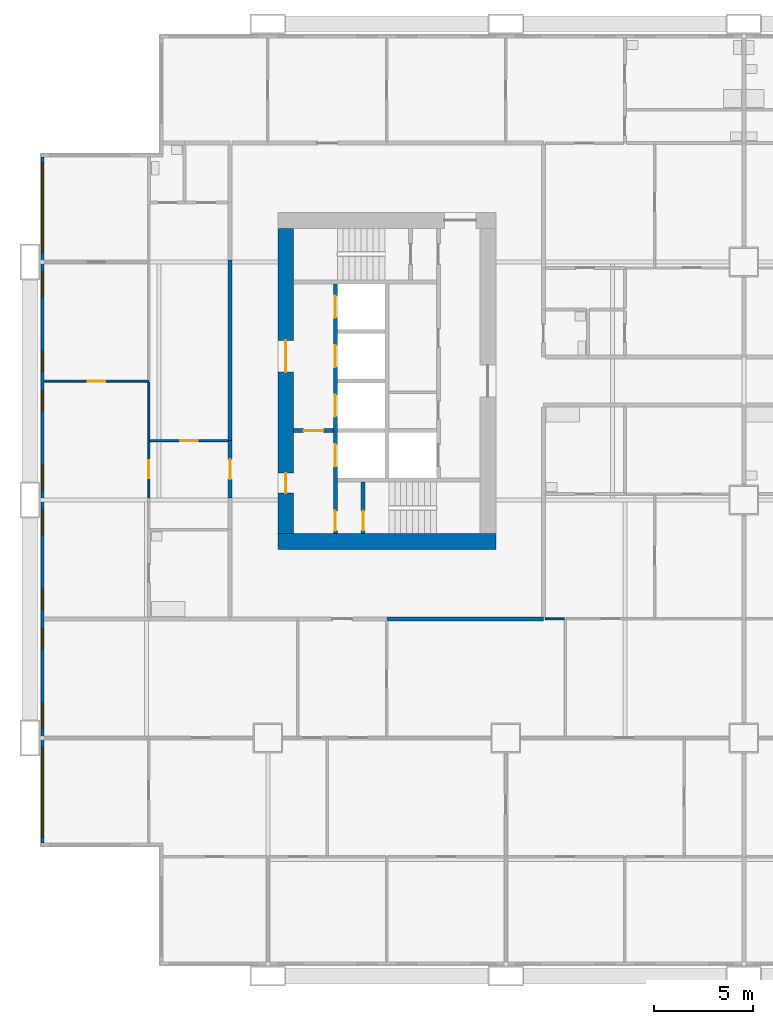
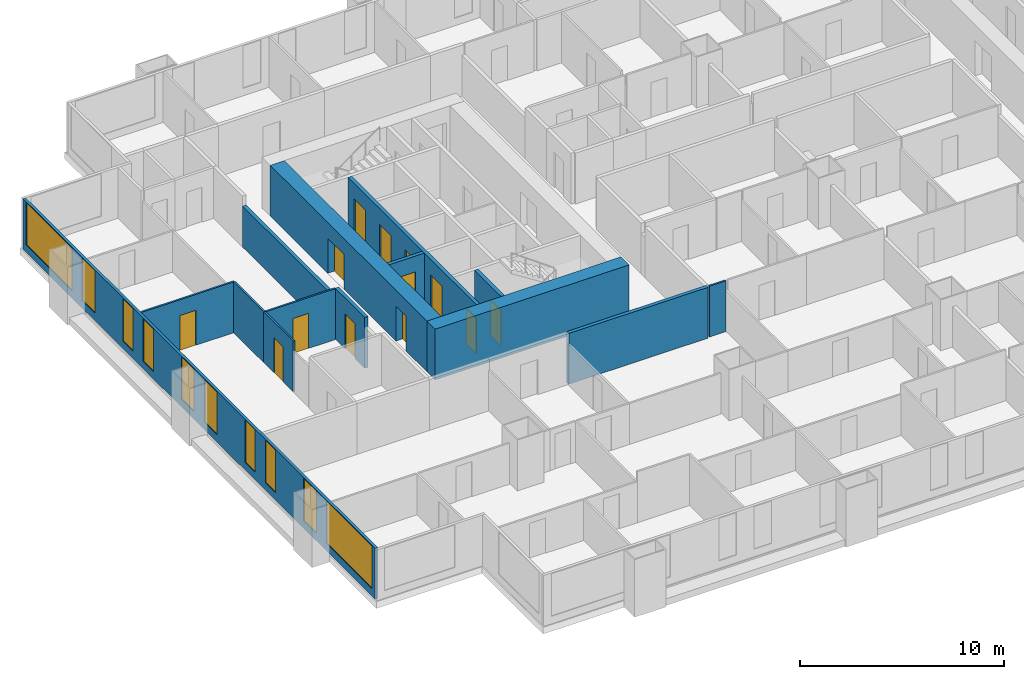
# One storey, part 3 of 14: 14 walls, 13 doors, 10 windows, 23 openings.
"""IFC4 building model written with IfcOpenShell, lengths in metres."""

from ifc_helpers import new_model, si_unit, direction, frame, frame_2d, origin, place, context, subcontext, project, spatial, rectangle, extrude, material, layer, layer_set, type_object, element, fill, save


model = new_model("IFC4")

# Units and contexts
model_context = context("Model", 3, precision=1e-05, world=origin(), true_north=direction((0.0, 1.0)))
body_context = subcontext(model_context, "Body", "Model", "MODEL_VIEW")
ifc_project = project(units=[si_unit("LENGTHUNIT", "METRE"), si_unit("AREAUNIT", "SQUARE_METRE"), si_unit("VOLUMEUNIT", "CUBIC_METRE"), si_unit("PLANEANGLEUNIT", "RADIAN"), si_unit("MASSUNIT", "GRAM", prefix="KILO")], contexts=[model_context])

# Site, building, storey
site_placement = place(None, origin())
site = spatial("IfcSite", under=ifc_project, at=site_placement, CompositionType="ELEMENT")
building_placement = place(site_placement, origin())
building = spatial("IfcBuilding", under=site, at=building_placement, Name="Kitamizu Gate Tower and Museum", CompositionType="ELEMENT")
storey_placement = place(building_placement, frame((0.0, 0.0, 33.449951171875)))
storey = spatial("IfcBuildingStorey", under=building, at=storey_placement, Name="L06", CompositionType="ELEMENT", Elevation=33.449951171875)

# Wall
ifc_material_1 = material(Name="Concrete Fc60", Category="concrete")
ifc_layer_1 = layer(ifc_material_1, 0.800048828125)
ifc_layer_set_1 = layer_set([ifc_layer_1], Name="Concrete Fc60")
wall_type_1 = type_object("IfcWallType", Name="Core wall 800", PredefinedType="SHEAR", material=ifc_layer_set_1)
wall_1_placement = place(storey_placement, frame((12.5, 21.89990234375, 0.0), z_axis=(0.0, 0.0, 1.0), x_axis=(1.0, 0.0, 0.0)))
element("IfcWall", 1, at=wall_1_placement, inside=storey, type_object=wall_type_1, Name="Core wall WS", PredefinedType="SHEAR", context=body_context, shape_type="SweptSolid", body=[
    extrude(rectangle(XDim=11.0, YDim=0.800048828125, at=frame_2d((5.5, 0.0))), origin(), (0.0, 0.0, 1.0), 3.050048828125),
])

# Wall, openings, doors
wall_2_placement = place(storey_placement, frame((12.89990234375, 22.300048828125, 0.0), z_axis=(0.0, 0.0, 1.0), x_axis=(0.0, 1.0, 0.0)))
wall_2 = element("IfcWall", 2, at=wall_2_placement, inside=storey, type_object=wall_type_1, Name="Core wall WOUT", PredefinedType="SHEAR", context=body_context, shape_type="SweptSolid", body=[
    extrude(rectangle(XDim=15.39990234375, YDim=0.800048828125, at=frame_2d((7.699951171875, 0.0))), origin(), (0.0, 0.0, 1.0), 3.050048828125),
])
opening_1_placement = place(wall_2_placement, frame((8.14990234375, 0.0, 0.0)))
opening_1 = element("IfcOpeningElement", 3, at=opening_1_placement, cuts=wall_2, Name="Opening L06-083", PredefinedType="OPENING", context=body_context, shape_type="SweptSolid", body=[
    extrude(rectangle(XDim=1.60009765625, YDim=2.10009765625, at=frame_2d((0.800048828125, 1.050048828125))), frame((0.0, 0.41015625, 0.0), z_axis=(0.0, -1.0, 0.0), x_axis=(1.0, 0.0, 0.0)), (0.0, 0.0, 1.0), 0.820068359375),
])
opening_2_placement = place(wall_2_placement, frame((2.050048828125, 0.0, 0.0)))
opening_2 = element("IfcOpeningElement", 4, at=opening_2_placement, cuts=wall_2, Name="Opening L06-084", PredefinedType="OPENING", context=body_context, shape_type="SweptSolid", body=[
    extrude(rectangle(XDim=1.0, YDim=2.10009765625, at=frame_2d((0.5, 1.050048828125))), frame((0.0, 0.41015625, 0.0), z_axis=(0.0, -1.0, 0.0), x_axis=(1.0, 0.0, 0.0)), (0.0, 0.0, 1.0), 0.820068359375),
])
ifc_material_2 = material(Name="Timber door set", Category="wood")
door_type_1 = type_object("IfcDoorType", Name="Entrance door 1600", OperationType="DOUBLE_DOOR_SINGLE_SWING", PredefinedType="DOOR", material=ifc_material_2)
door_1_placement = place(opening_1_placement, origin())
door_1 = element("IfcDoor", 5, at=door_1_placement, inside=storey, type_object=door_type_1, Name="Lobby door L06-083", OperationType="DOUBLE_DOOR_SINGLE_SWING", OverallHeight=2.10009765625, OverallWidth=1.60009765625, PredefinedType="DOOR", context=body_context, shape_type="SweptSolid", body=[
    extrude(rectangle(XDim=1.60009765625, YDim=2.10009765625, at=frame_2d((0.800048828125, 1.050048828125))), frame((0.0, 0.02490234375, 0.0), z_axis=(0.0, -1.0, 0.0), x_axis=(1.0, 0.0, 0.0)), (0.0, 0.0, 1.0), 0.050048828125),
])
fill(opening_1, door_1)
ifc_material_3 = material(Name="Hollow metal door set")
door_type_2 = type_object("IfcDoorType", Name="Fire door 1000", OperationType="NOTDEFINED", PredefinedType="DOOR", material=ifc_material_3)
door_2_placement = place(opening_2_placement, frame((1.0, 0.0, 0.0), x_axis=(-1.0, 0.0, 0.0)))
door_2 = element("IfcDoor", 6, at=door_2_placement, inside=storey, type_object=door_type_2, Name="Fire-fighting lobby door L06-084", OperationType="SINGLE_SWING_LEFT", OverallHeight=2.10009765625, OverallWidth=1.0, PredefinedType="DOOR", context=body_context, shape_type="SweptSolid", body=[
    extrude(rectangle(XDim=1.0, YDim=2.10009765625, at=frame_2d((0.5, 1.050048828125))), frame((0.0, 0.02490234375, 0.0), z_axis=(0.0, -1.0, 0.0), x_axis=(1.0, 0.0, 0.0)), (0.0, 0.0, 1.0), 0.050048828125),
])
fill(opening_2, door_2)

# Wall
ifc_material_4 = material(Name="Gypsum board on galvanised stud")
ifc_layer_2 = layer(ifc_material_4, 0.10009765625)
ifc_layer_set_2 = layer_set([ifc_layer_2], Name="Gypsum board on galvanised stud")
wall_type_2 = type_object("IfcWallType", Name="Partition 100 NOT RATED", PredefinedType="PARTITIONING", material=ifc_layer_set_2)
wall_3_placement = place(storey_placement, frame((26.949951171875, 18.0, 0.0), z_axis=(0.0, 0.0, 1.0), x_axis=(-1.0, 0.0, 0.0)))
element("IfcWall", 7, at=wall_3_placement, inside=storey, type_object=wall_type_2, Name="Partition L06-034", PredefinedType="PARTITIONING", context=body_context, shape_type="SweptSolid", body=[
    extrude(rectangle(XDim=0.949951171875, YDim=0.10009765625, at=frame_2d((0.47509765625, 0.0))), origin(), (0.0, 0.0, 1.0), 3.050048828125),
])

# Wall, opening, door
wall_4_placement = place(storey_placement, frame((6.0, 30.0, 0.0), z_axis=(0.0, 0.0, 1.0), x_axis=(-1.0, 0.0, 0.0)))
wall_4 = element("IfcWall", 8, at=wall_4_placement, inside=storey, type_object=wall_type_2, Name="Partition L06-051", PredefinedType="PARTITIONING", context=body_context, shape_type="SweptSolid", body=[
    extrude(rectangle(XDim=5.280029296875, YDim=0.10009765625, at=frame_2d((2.64013671875, 0.0))), origin(), (0.0, 0.0, 1.0), 3.050048828125),
])
opening_3_placement = place(wall_4_placement, frame((2.18994140625, 0.0, 0.0)))
opening_3 = element("IfcOpeningElement", 9, at=opening_3_placement, cuts=wall_4, Name="Opening L06-022", PredefinedType="OPENING", context=body_context, shape_type="SweptSolid", body=[
    extrude(rectangle(XDim=0.89990234375, YDim=2.10009765625, at=frame_2d((0.449951171875, 1.050048828125))), frame((0.0, 0.06005859375, 0.0), z_axis=(0.0, -1.0, 0.0), x_axis=(1.0, 0.0, 0.0)), (0.0, 0.0, 1.0), 0.1201171875),
])
ifc_material_5 = material(Name="Timber door set", Category="wood")
door_type_3 = type_object("IfcDoorType", Name="Room door 900", OperationType="NOTDEFINED", PredefinedType="DOOR", material=ifc_material_5)
door_3_placement = place(opening_3_placement, frame((0.89990234375, 0.0, 0.0), x_axis=(-1.0, 0.0, 0.0)))
door_3 = element("IfcDoor", 10, at=door_3_placement, inside=storey, type_object=door_type_3, Name="Door L06-022", OperationType="SINGLE_SWING_RIGHT", OverallHeight=2.10009765625, OverallWidth=0.89990234375, PredefinedType="DOOR", context=body_context, shape_type="SweptSolid", body=[
    extrude(rectangle(XDim=0.89990234375, YDim=2.10009765625, at=frame_2d((0.449951171875, 1.050048828125))), frame((0.0, 0.02490234375, 0.0), z_axis=(0.0, -1.0, 0.0), x_axis=(1.0, 0.0, 0.0)), (0.0, 0.0, 1.0), 0.050048828125),
])
fill(opening_3, door_3)

wall_5_placement = place(storey_placement, frame((6.0, 24.10009765625, 0.0), z_axis=(0.0, 0.0, 1.0), x_axis=(0.0, 1.0, 0.0)))
wall_5 = element("IfcWall", 11, at=wall_5_placement, inside=storey, type_object=wall_type_2, Name="Partition L06-054", PredefinedType="PARTITIONING", context=body_context, shape_type="SweptSolid", body=[
    extrude(rectangle(XDim=2.89990234375, YDim=0.10009765625, at=frame_2d((1.449951171875, 0.0))), origin(), (0.0, 0.0, 1.0), 3.050048828125),
])
opening_4_placement = place(wall_5_placement, frame((1.0, 0.0, 0.0)))
opening_4 = element("IfcOpeningElement", 12, at=opening_4_placement, cuts=wall_5, Name="Opening L06-020", PredefinedType="OPENING", context=body_context, shape_type="SweptSolid", body=[
    extrude(rectangle(XDim=0.89990234375, YDim=2.10009765625, at=frame_2d((0.449951171875, 1.050048828125))), frame((0.0, 0.06005859375, 0.0), z_axis=(0.0, -1.0, 0.0), x_axis=(1.0, 0.0, 0.0)), (0.0, 0.0, 1.0), 0.1201171875),
])
door_4_placement = place(opening_4_placement, origin())
door_4 = element("IfcDoor", 13, at=door_4_placement, inside=storey, type_object=door_type_3, Name="Door L06-020", OperationType="SINGLE_SWING_LEFT", OverallHeight=2.10009765625, OverallWidth=0.89990234375, PredefinedType="DOOR", context=body_context, shape_type="SweptSolid", body=[
    extrude(rectangle(XDim=0.89990234375, YDim=2.10009765625, at=frame_2d((0.449951171875, 1.050048828125))), frame((0.0, 0.02490234375, 0.0), z_axis=(0.0, -1.0, 0.0), x_axis=(1.0, 0.0, 0.0)), (0.0, 0.0, 1.0), 0.050048828125),
])
fill(opening_4, door_4)

# Wall
wall_6_placement = place(storey_placement, frame((6.0, 27.0, 0.0), z_axis=(0.0, 0.0, 1.0), x_axis=(0.0, 1.0, 0.0)))
element("IfcWall", 14, at=wall_6_placement, inside=storey, type_object=wall_type_2, Name="Partition L06-055", PredefinedType="PARTITIONING", context=body_context, shape_type="SweptSolid", body=[
    extrude(rectangle(XDim=2.949951171875, YDim=0.10009765625, at=frame_2d((1.47509765625, 0.0))), origin(), (0.0, 0.0, 1.0), 3.050048828125),
])

# Wall, opening, door
wall_7_placement = place(storey_placement, frame((10.0, 27.0, 0.0), z_axis=(0.0, 0.0, 1.0), x_axis=(-1.0, 0.0, 0.0)))
wall_7 = element("IfcWall", 15, at=wall_7_placement, inside=storey, type_object=wall_type_2, Name="Partition L06-062", PredefinedType="PARTITIONING", context=body_context, shape_type="SweptSolid", body=[
    extrude(rectangle(XDim=3.949951171875, YDim=0.10009765625, at=frame_2d((1.97509765625, 0.0))), origin(), (0.0, 0.0, 1.0), 3.050048828125),
])
opening_5_placement = place(wall_7_placement, frame((1.52490234375, 0.0, 0.0)))
opening_5 = element("IfcOpeningElement", 16, at=opening_5_placement, cuts=wall_7, Name="Opening L06-021", PredefinedType="OPENING", context=body_context, shape_type="SweptSolid", body=[
    extrude(rectangle(XDim=0.89990234375, YDim=2.10009765625, at=frame_2d((0.449951171875, 1.050048828125))), frame((0.0, 0.06005859375, 0.0), z_axis=(0.0, -1.0, 0.0), x_axis=(1.0, 0.0, 0.0)), (0.0, 0.0, 1.0), 0.1201171875),
])
door_5_placement = place(opening_5_placement, origin())
door_5 = element("IfcDoor", 17, at=door_5_placement, inside=storey, type_object=door_type_3, Name="Door L06-021", OperationType="SINGLE_SWING_RIGHT", OverallHeight=2.10009765625, OverallWidth=0.89990234375, PredefinedType="DOOR", context=body_context, shape_type="SweptSolid", body=[
    extrude(rectangle(XDim=0.89990234375, YDim=2.10009765625, at=frame_2d((0.449951171875, 1.050048828125))), frame((0.0, 0.02490234375, 0.0), z_axis=(0.0, -1.0, 0.0), x_axis=(1.0, 0.0, 0.0)), (0.0, 0.0, 1.0), 0.050048828125),
])
fill(opening_5, door_5)

# Wall
ifc_material_6 = material(Name="Gypsum board on galvanised stud")
ifc_layer_3 = layer(ifc_material_6, 0.199951171875)
ifc_layer_set_3 = layer_set([ifc_layer_3], Name="Gypsum board on galvanised stud")
wall_type_3 = type_object("IfcWallType", Name="Partition 200", PredefinedType="PARTITIONING", material=ifc_layer_set_3)
wall_8_placement = place(storey_placement, frame((25.89990234375, 18.0, 0.0), z_axis=(0.0, 0.0, 1.0), x_axis=(-1.0, 0.0, 0.0)))
element("IfcWall", 18, at=wall_8_placement, inside=storey, type_object=wall_type_3, Name="Partition L06-035", PredefinedType="PARTITIONING", context=body_context, shape_type="SweptSolid", body=[
    extrude(rectangle(XDim=7.89990234375, YDim=0.199951171875, at=frame_2d((3.949951171875, 0.0))), origin(), (0.0, 0.0, 1.0), 3.050048828125),
])

# Wall, opening, door
wall_9_placement = place(storey_placement, frame((10.10009765625, 24.10009765625, 0.0), z_axis=(0.0, 0.0, 1.0), x_axis=(0.0, 1.0, 0.0)))
wall_9 = element("IfcWall", 19, at=wall_9_placement, inside=storey, type_object=wall_type_3, Name="Partition L06-064", PredefinedType="PARTITIONING", context=body_context, shape_type="SweptSolid", body=[
    extrude(rectangle(XDim=2.89990234375, YDim=0.199951171875, at=frame_2d((1.449951171875, 0.0))), origin(), (0.0, 0.0, 1.0), 3.050048828125),
])
opening_6_placement = place(wall_9_placement, frame((0.949951171875, 0.0, 0.0)))
opening_6 = element("IfcOpeningElement", 20, at=opening_6_placement, cuts=wall_9, Name="Opening L06-019", PredefinedType="OPENING", context=body_context, shape_type="SweptSolid", body=[
    extrude(rectangle(XDim=1.0, YDim=2.10009765625, at=frame_2d((0.5, 1.050048828125))), frame((0.0, 0.10986328125, 0.0), z_axis=(0.0, -1.0, 0.0), x_axis=(1.0, 0.0, 0.0)), (0.0, 0.0, 1.0), 0.219970703125),
])
ifc_material_7 = material(Name="Timber door set", Category="wood")
door_type_4 = type_object("IfcDoorType", Name="Flat entrance door 1000", OperationType="NOTDEFINED", PredefinedType="DOOR", material=ifc_material_7)
door_6_placement = place(opening_6_placement, origin())
door_6 = element("IfcDoor", 21, at=door_6_placement, inside=storey, type_object=door_type_4, Name="Flat entrance door L06-019", OperationType="SINGLE_SWING_LEFT", OverallHeight=2.10009765625, OverallWidth=1.0, PredefinedType="DOOR", context=body_context, shape_type="SweptSolid", body=[
    extrude(rectangle(XDim=1.0, YDim=2.10009765625, at=frame_2d((0.5, 1.050048828125))), frame((0.0, 0.02490234375, 0.0), z_axis=(0.0, -1.0, 0.0), x_axis=(1.0, 0.0, 0.0)), (0.0, 0.0, 1.0), 0.050048828125),
])
fill(opening_6, door_6)

# Wall
wall_10_placement = place(storey_placement, frame((10.10009765625, 27.0, 0.0), z_axis=(0.0, 0.0, 1.0), x_axis=(0.0, 1.0, 0.0)))
element("IfcWall", 22, at=wall_10_placement, inside=storey, type_object=wall_type_3, Name="Partition L06-067", PredefinedType="PARTITIONING", context=body_context, shape_type="SweptSolid", body=[
    extrude(rectangle(XDim=9.10009765625, YDim=0.199951171875, at=frame_2d((4.550048828125, 0.0))), origin(), (0.0, 0.0, 1.0), 2.449951171875),
])

# Wall, openings, doors
ifc_material_8 = material(Name="Concrete Fc42", Category="concrete")
ifc_layer_4 = layer(ifc_material_8, 0.199951171875)
ifc_layer_set_4 = layer_set([ifc_layer_4], Name="Concrete Fc42")
wall_type_4 = type_object("IfcWallType", Name="Shaft wall 200", PredefinedType="SOLIDWALL", material=ifc_layer_set_4)
wall_11_placement = place(storey_placement, frame((15.39990234375, 22.300048828125, 0.0), z_axis=(0.0, 0.0, 1.0), x_axis=(0.0, 1.0, 0.0)))
wall_11 = element("IfcWall", 23, at=wall_11_placement, inside=storey, type_object=wall_type_4, Name="Shaft wall WWEST", PredefinedType="SOLIDWALL", context=body_context, shape_type="SweptSolid", body=[
    extrude(rectangle(XDim=12.599853515625, YDim=0.199951171875, at=frame_2d((6.2998046875, 0.0))), origin(), (0.0, 0.0, 1.0), 3.050048828125),
])
opening_7_placement = place(wall_11_placement, frame((3.39990234375, 0.0, 0.0)))
opening_7 = element("IfcOpeningElement", 24, at=opening_7_placement, cuts=wall_11, Name="Opening LD", PredefinedType="OPENING", context=body_context, shape_type="SweptSolid", body=[
    extrude(rectangle(XDim=1.10009765625, YDim=2.10009765625, at=frame_2d((0.550048828125, 1.050048828125))), frame((0.0, 0.10986328125, 0.0), z_axis=(0.0, -1.0, 0.0), x_axis=(1.0, 0.0, 0.0)), (0.0, 0.0, 1.0), 0.219970703125),
])
opening_8_placement = place(wall_11_placement, frame((5.89990234375, 0.0, 0.0)))
opening_8 = element("IfcOpeningElement", 25, at=opening_8_placement, cuts=wall_11, Name="Opening LD", PredefinedType="OPENING", context=body_context, shape_type="SweptSolid", body=[
    extrude(rectangle(XDim=1.10009765625, YDim=2.10009765625, at=frame_2d((0.550048828125, 1.050048828125))), frame((0.0, 0.10986328125, 0.0), z_axis=(0.0, -1.0, 0.0), x_axis=(1.0, 0.0, 0.0)), (0.0, 0.0, 1.0), 0.219970703125),
])
opening_9_placement = place(wall_11_placement, frame((8.39990234375, 0.0, 0.0)))
opening_9 = element("IfcOpeningElement", 26, at=opening_9_placement, cuts=wall_11, Name="Opening LD", PredefinedType="OPENING", context=body_context, shape_type="SweptSolid", body=[
    extrude(rectangle(XDim=1.10009765625, YDim=2.10009765625, at=frame_2d((0.550048828125, 1.050048828125))), frame((0.0, 0.10986328125, 0.0), z_axis=(0.0, -1.0, 0.0), x_axis=(1.0, 0.0, 0.0)), (0.0, 0.0, 1.0), 0.219970703125),
])
opening_10_placement = place(wall_11_placement, frame((10.89990234375, 0.0, 0.0)))
opening_10 = element("IfcOpeningElement", 27, at=opening_10_placement, cuts=wall_11, Name="Opening LD", PredefinedType="OPENING", context=body_context, shape_type="SweptSolid", body=[
    extrude(rectangle(XDim=1.10009765625, YDim=2.10009765625, at=frame_2d((0.550048828125, 1.050048828125))), frame((0.0, 0.10986328125, 0.0), z_axis=(0.0, -1.0, 0.0), x_axis=(1.0, 0.0, 0.0)), (0.0, 0.0, 1.0), 0.219970703125),
])
opening_11_placement = place(wall_11_placement, frame((0.14990234375, 0.0, 0.0)))
opening_11 = element("IfcOpeningElement", 28, at=opening_11_placement, cuts=wall_11, Name="Opening L06-079", PredefinedType="OPENING", context=body_context, shape_type="SweptSolid", body=[
    extrude(rectangle(XDim=1.0, YDim=2.10009765625, at=frame_2d((0.5, 1.050048828125))), frame((0.0, 0.10986328125, 0.0), z_axis=(0.0, -1.0, 0.0), x_axis=(1.0, 0.0, 0.0)), (0.0, 0.0, 1.0), 0.219970703125),
])
door_7_placement = place(opening_11_placement, frame((1.0, 0.0, 0.0), x_axis=(-1.0, 0.0, 0.0)))
door_7 = element("IfcDoor", 29, at=door_7_placement, inside=storey, type_object=door_type_2, Name="Stair lobby door L06-079", OperationType="SINGLE_SWING_LEFT", OverallHeight=2.10009765625, OverallWidth=1.0, PredefinedType="DOOR", context=body_context, shape_type="SweptSolid", body=[
    extrude(rectangle(XDim=1.0, YDim=2.10009765625, at=frame_2d((0.5, 1.050048828125))), frame((0.0, 0.02490234375, 0.0), z_axis=(0.0, -1.0, 0.0), x_axis=(1.0, 0.0, 0.0)), (0.0, 0.0, 1.0), 0.050048828125),
])
fill(opening_11, door_7)
ifc_material_9 = material(Name="Hollow metal door set")
door_type_5 = type_object("IfcDoorType", Name="Landing door 1100", OperationType="SLIDING_TO_LEFT", PredefinedType="DOOR", material=ifc_material_9)
door_8_placement = place(opening_7_placement, origin())
door_8 = element("IfcDoor", 30, at=door_8_placement, inside=storey, type_object=door_type_5, Name="Landing door WFF1", OperationType="SLIDING_TO_LEFT", OverallHeight=2.10009765625, OverallWidth=1.10009765625, PredefinedType="DOOR", context=body_context, shape_type="SweptSolid", body=[
    extrude(rectangle(XDim=1.10009765625, YDim=2.10009765625, at=frame_2d((0.550048828125, 1.050048828125))), frame((0.0, 0.02490234375, 0.0), z_axis=(0.0, -1.0, 0.0), x_axis=(1.0, 0.0, 0.0)), (0.0, 0.0, 1.0), 0.050048828125),
])
fill(opening_7, door_8)
door_9_placement = place(opening_8_placement, origin())
door_9 = element("IfcDoor", 31, at=door_9_placement, inside=storey, type_object=door_type_5, Name="Landing door WL1", OperationType="SLIDING_TO_LEFT", OverallHeight=2.10009765625, OverallWidth=1.10009765625, PredefinedType="DOOR", context=body_context, shape_type="SweptSolid", body=[
    extrude(rectangle(XDim=1.10009765625, YDim=2.10009765625, at=frame_2d((0.550048828125, 1.050048828125))), frame((0.0, 0.02490234375, 0.0), z_axis=(0.0, -1.0, 0.0), x_axis=(1.0, 0.0, 0.0)), (0.0, 0.0, 1.0), 0.050048828125),
])
fill(opening_8, door_9)
door_10_placement = place(opening_9_placement, origin())
door_10 = element("IfcDoor", 32, at=door_10_placement, inside=storey, type_object=door_type_5, Name="Landing door WL2", OperationType="SLIDING_TO_LEFT", OverallHeight=2.10009765625, OverallWidth=1.10009765625, PredefinedType="DOOR", context=body_context, shape_type="SweptSolid", body=[
    extrude(rectangle(XDim=1.10009765625, YDim=2.10009765625, at=frame_2d((0.550048828125, 1.050048828125))), frame((0.0, 0.02490234375, 0.0), z_axis=(0.0, -1.0, 0.0), x_axis=(1.0, 0.0, 0.0)), (0.0, 0.0, 1.0), 0.050048828125),
])
fill(opening_9, door_10)
door_11_placement = place(opening_10_placement, origin())
door_11 = element("IfcDoor", 33, at=door_11_placement, inside=storey, type_object=door_type_5, Name="Landing door WL3", OperationType="SLIDING_TO_LEFT", OverallHeight=2.10009765625, OverallWidth=1.10009765625, PredefinedType="DOOR", context=body_context, shape_type="SweptSolid", body=[
    extrude(rectangle(XDim=1.10009765625, YDim=2.10009765625, at=frame_2d((0.550048828125, 1.050048828125))), frame((0.0, 0.02490234375, 0.0), z_axis=(0.0, -1.0, 0.0), x_axis=(1.0, 0.0, 0.0)), (0.0, 0.0, 1.0), 0.050048828125),
])
fill(opening_10, door_11)

# Wall, opening, door
wall_12_placement = place(storey_placement, frame((13.300048828125, 27.5, 0.0), z_axis=(0.0, 0.0, 1.0), x_axis=(1.0, 0.0, 0.0)))
wall_12 = element("IfcWall", 34, at=wall_12_placement, inside=storey, type_object=wall_type_4, Name="Shaft wall WFFN", PredefinedType="SOLIDWALL", context=body_context, shape_type="SweptSolid", body=[
    extrude(rectangle(XDim=2.0, YDim=0.199951171875, at=frame_2d((1.0, 0.0))), origin(), (0.0, 0.0, 1.0), 3.050048828125),
])
opening_12_placement = place(wall_12_placement, frame((0.5, 0.0, 0.0)))
opening_12 = element("IfcOpeningElement", 35, at=opening_12_placement, cuts=wall_12, Name="Opening L06-082", PredefinedType="OPENING", context=body_context, shape_type="SweptSolid", body=[
    extrude(rectangle(XDim=1.0, YDim=2.10009765625, at=frame_2d((0.5, 1.050048828125))), frame((0.0, 0.10986328125, 0.0), z_axis=(0.0, -1.0, 0.0), x_axis=(1.0, 0.0, 0.0)), (0.0, 0.0, 1.0), 0.219970703125),
])
door_12_placement = place(opening_12_placement, frame((1.0, 0.0, 0.0), x_axis=(-1.0, 0.0, 0.0)))
door_12 = element("IfcDoor", 36, at=door_12_placement, inside=storey, type_object=door_type_2, Name="Fire-fighting lobby door L06-082", OperationType="SINGLE_SWING_RIGHT", OverallHeight=2.10009765625, OverallWidth=1.0, PredefinedType="DOOR", context=body_context, shape_type="SweptSolid", body=[
    extrude(rectangle(XDim=1.0, YDim=2.10009765625, at=frame_2d((0.5, 1.050048828125))), frame((0.0, 0.02490234375, 0.0), z_axis=(0.0, -1.0, 0.0), x_axis=(1.0, 0.0, 0.0)), (0.0, 0.0, 1.0), 0.050048828125),
])
fill(opening_12, door_12)

wall_13_placement = place(storey_placement, frame((16.800048828125, 22.300048828125, 0.0), z_axis=(0.0, 0.0, 1.0), x_axis=(0.0, 1.0, 0.0)))
wall_13 = element("IfcWall", 37, at=wall_13_placement, inside=storey, type_object=wall_type_4, Name="Shaft wall WSZ", PredefinedType="SOLIDWALL", context=body_context, shape_type="SweptSolid", body=[
    extrude(rectangle(XDim=2.599853515625, YDim=0.199951171875, at=frame_2d((1.2998046875, 0.0))), origin(), (0.0, 0.0, 1.0), 3.050048828125),
])
opening_13_placement = place(wall_13_placement, frame((0.14990234375, 0.0, 0.0)))
opening_13 = element("IfcOpeningElement", 38, at=opening_13_placement, cuts=wall_13, Name="Opening L06-078", PredefinedType="OPENING", context=body_context, shape_type="SweptSolid", body=[
    extrude(rectangle(XDim=1.0, YDim=2.10009765625, at=frame_2d((0.5, 1.050048828125))), frame((0.0, 0.10986328125, 0.0), z_axis=(0.0, -1.0, 0.0), x_axis=(1.0, 0.0, 0.0)), (0.0, 0.0, 1.0), 0.219970703125),
])
door_13_placement = place(opening_13_placement, frame((1.0, 0.0, 0.0), x_axis=(-1.0, 0.0, 0.0)))
door_13 = element("IfcDoor", 39, at=door_13_placement, inside=storey, type_object=door_type_2, Name="Stair door L06-078", OperationType="SINGLE_SWING_LEFT", OverallHeight=2.10009765625, OverallWidth=1.0, PredefinedType="DOOR", context=body_context, shape_type="SweptSolid", body=[
    extrude(rectangle(XDim=1.0, YDim=2.10009765625, at=frame_2d((0.5, 1.050048828125))), frame((0.0, 0.02490234375, 0.0), z_axis=(0.0, -1.0, 0.0), x_axis=(1.0, 0.0, 0.0)), (0.0, 0.0, 1.0), 0.050048828125),
])
fill(opening_13, door_13)

# Wall, openings, windows
ifc_material_10 = material(Name="Bronze anodised aluminium frame with insulated spandrel and tinted glass", Category="aluminium")
ifc_layer_5 = layer(ifc_material_10, 0.14990234375)
ifc_layer_set_5 = layer_set([ifc_layer_5], Name="Bronze anodised aluminium frame with insulated spandrel and tinted glass")
wall_type_5 = type_object("IfcWallType", Name="WINDOW WALL 150 BRONZE FRAME EI 30", PredefinedType="ELEMENTEDWALL", material=ifc_layer_set_5)
wall_14_placement = place(storey_placement, frame((0.635009765625, 6.7099609375, 0.0), z_axis=(0.0, 0.0, 1.0), x_axis=(0.0, 1.0, 0.0)))
wall_14 = element("IfcWall", 40, at=wall_14_placement, inside=storey, type_object=wall_type_5, Name="Window wall west L06", PredefinedType="ELEMENTEDWALL", context=body_context, shape_type="SweptSolid", body=[
    extrude(rectangle(XDim=34.580078125, YDim=0.14990234375, at=frame_2d((17.2900390625, 0.0))), origin(), (0.0, 0.0, 1.0), 3.050048828125),
])
opening_14_placement = place(wall_14_placement, frame((0.2900390625, 0.0, 0.449951171875)))
opening_14 = element("IfcOpeningElement", 41, at=opening_14_placement, cuts=wall_14, Name="Opening W15", PredefinedType="OPENING", context=body_context, shape_type="SweptSolid", body=[
    extrude(rectangle(XDim=4.5, YDim=2.550048828125, at=frame_2d((2.25, 1.27490234375))), frame((0.0, 0.0849609375, 0.0), z_axis=(0.0, -1.0, 0.0), x_axis=(1.0, 0.0, 0.0)), (0.0, 0.0, 1.0), 0.169921875),
])
opening_15_placement = place(wall_14_placement, frame((5.7900390625, 0.0, 0.449951171875)))
opening_15 = element("IfcOpeningElement", 42, at=opening_15_placement, cuts=wall_14, Name="Opening W27", PredefinedType="OPENING", context=body_context, shape_type="SweptSolid", body=[
    extrude(rectangle(XDim=1.25, YDim=2.550048828125, at=frame_2d((0.625, 1.27490234375))), frame((0.0, 0.0849609375, 0.0), z_axis=(0.0, -1.0, 0.0), x_axis=(1.0, 0.0, 0.0)), (0.0, 0.0, 1.0), 0.169921875),
])
opening_16_placement = place(wall_14_placement, frame((9.7900390625, 0.0, 0.449951171875)))
opening_16 = element("IfcOpeningElement", 43, at=opening_16_placement, cuts=wall_14, Name="Opening W26", PredefinedType="OPENING", context=body_context, shape_type="SweptSolid", body=[
    extrude(rectangle(XDim=1.0, YDim=2.550048828125, at=frame_2d((0.5, 1.27490234375))), frame((0.0, 0.0849609375, 0.0), z_axis=(0.0, -1.0, 0.0), x_axis=(1.0, 0.0, 0.0)), (0.0, 0.0, 1.0), 0.169921875),
])
opening_17_placement = place(wall_14_placement, frame((11.7900390625, 0.0, 0.449951171875)))
opening_17 = element("IfcOpeningElement", 44, at=opening_17_placement, cuts=wall_14, Name="Opening W26", PredefinedType="OPENING", context=body_context, shape_type="SweptSolid", body=[
    extrude(rectangle(XDim=1.0, YDim=2.550048828125, at=frame_2d((0.5, 1.27490234375))), frame((0.0, 0.0849609375, 0.0), z_axis=(0.0, -1.0, 0.0), x_axis=(1.0, 0.0, 0.0)), (0.0, 0.0, 1.0), 0.169921875),
])
opening_18_placement = place(wall_14_placement, frame((15.5400390625, 0.0, 0.449951171875)))
opening_18 = element("IfcOpeningElement", 45, at=opening_18_placement, cuts=wall_14, Name="Opening W27", PredefinedType="OPENING", context=body_context, shape_type="SweptSolid", body=[
    extrude(rectangle(XDim=1.25, YDim=2.550048828125, at=frame_2d((0.625, 1.27490234375))), frame((0.0, 0.0849609375, 0.0), z_axis=(0.0, -1.0, 0.0), x_axis=(1.0, 0.0, 0.0)), (0.0, 0.0, 1.0), 0.169921875),
])
opening_19_placement = place(wall_14_placement, frame((17.7900390625, 0.0, 0.449951171875)))
opening_19 = element("IfcOpeningElement", 46, at=opening_19_placement, cuts=wall_14, Name="Opening W27", PredefinedType="OPENING", context=body_context, shape_type="SweptSolid", body=[
    extrude(rectangle(XDim=1.25, YDim=2.550048828125, at=frame_2d((0.625, 1.27490234375))), frame((0.0, 0.0849609375, 0.0), z_axis=(0.0, -1.0, 0.0), x_axis=(1.0, 0.0, 0.0)), (0.0, 0.0, 1.0), 0.169921875),
])
opening_20_placement = place(wall_14_placement, frame((21.7900390625, 0.0, 0.449951171875)))
opening_20 = element("IfcOpeningElement", 47, at=opening_20_placement, cuts=wall_14, Name="Opening W26", PredefinedType="OPENING", context=body_context, shape_type="SweptSolid", body=[
    extrude(rectangle(XDim=1.0, YDim=2.550048828125, at=frame_2d((0.5, 1.27490234375))), frame((0.0, 0.0849609375, 0.0), z_axis=(0.0, -1.0, 0.0), x_axis=(1.0, 0.0, 0.0)), (0.0, 0.0, 1.0), 0.169921875),
])
opening_21_placement = place(wall_14_placement, frame((23.7900390625, 0.0, 0.449951171875)))
opening_21 = element("IfcOpeningElement", 48, at=opening_21_placement, cuts=wall_14, Name="Opening W26", PredefinedType="OPENING", context=body_context, shape_type="SweptSolid", body=[
    extrude(rectangle(XDim=1.0, YDim=2.550048828125, at=frame_2d((0.5, 1.27490234375))), frame((0.0, 0.0849609375, 0.0), z_axis=(0.0, -1.0, 0.0), x_axis=(1.0, 0.0, 0.0)), (0.0, 0.0, 1.0), 0.169921875),
])
opening_22_placement = place(wall_14_placement, frame((27.5400390625, 0.0, 0.449951171875)))
opening_22 = element("IfcOpeningElement", 49, at=opening_22_placement, cuts=wall_14, Name="Opening W27", PredefinedType="OPENING", context=body_context, shape_type="SweptSolid", body=[
    extrude(rectangle(XDim=1.25, YDim=2.550048828125, at=frame_2d((0.625, 1.27490234375))), frame((0.0, 0.0849609375, 0.0), z_axis=(0.0, -1.0, 0.0), x_axis=(1.0, 0.0, 0.0)), (0.0, 0.0, 1.0), 0.169921875),
])
opening_23_placement = place(wall_14_placement, frame((29.7900390625, 0.0, 0.449951171875)))
opening_23 = element("IfcOpeningElement", 50, at=opening_23_placement, cuts=wall_14, Name="Opening W15", PredefinedType="OPENING", context=body_context, shape_type="SweptSolid", body=[
    extrude(rectangle(XDim=4.5, YDim=2.550048828125, at=frame_2d((2.25, 1.27490234375))), frame((0.0, 0.0849609375, 0.0), z_axis=(0.0, -1.0, 0.0), x_axis=(1.0, 0.0, 0.0)), (0.0, 0.0, 1.0), 0.169921875),
])
ifc_material_11 = material(Name="Bronze anodised aluminium frame, tinted triple glazing", Category="aluminium")
window_type_1 = type_object("IfcWindowType", Name="WINDOW 1000 x 2550 SILL 450", PartitioningType="SINGLE_PANEL", PredefinedType="WINDOW", material=ifc_material_11)
window_1_placement = place(opening_16_placement, origin())
window_1 = element("IfcWindow", 51, at=window_1_placement, inside=storey, type_object=window_type_1, Name="Window W26 L06", OverallHeight=2.550048828125, OverallWidth=1.0, PartitioningType="SINGLE_PANEL", PredefinedType="WINDOW", context=body_context, shape_type="SweptSolid", body=[
    extrude(rectangle(XDim=1.0, YDim=2.550048828125, at=frame_2d((0.5, 1.27490234375))), frame((0.0, 0.030029296875, 0.0), z_axis=(0.0, -1.0, 0.0), x_axis=(1.0, 0.0, 0.0)), (0.0, 0.0, 1.0), 0.06005859375),
])
fill(opening_16, window_1)
window_2_placement = place(opening_17_placement, origin())
window_2 = element("IfcWindow", 52, at=window_2_placement, inside=storey, type_object=window_type_1, Name="Window W26 L06", OverallHeight=2.550048828125, OverallWidth=1.0, PartitioningType="SINGLE_PANEL", PredefinedType="WINDOW", context=body_context, shape_type="SweptSolid", body=[
    extrude(rectangle(XDim=1.0, YDim=2.550048828125, at=frame_2d((0.5, 1.27490234375))), frame((0.0, 0.030029296875, 0.0), z_axis=(0.0, -1.0, 0.0), x_axis=(1.0, 0.0, 0.0)), (0.0, 0.0, 1.0), 0.06005859375),
])
fill(opening_17, window_2)
window_3_placement = place(opening_20_placement, origin())
window_3 = element("IfcWindow", 53, at=window_3_placement, inside=storey, type_object=window_type_1, Name="Window W26 L06", OverallHeight=2.550048828125, OverallWidth=1.0, PartitioningType="SINGLE_PANEL", PredefinedType="WINDOW", context=body_context, shape_type="SweptSolid", body=[
    extrude(rectangle(XDim=1.0, YDim=2.550048828125, at=frame_2d((0.5, 1.27490234375))), frame((0.0, 0.030029296875, 0.0), z_axis=(0.0, -1.0, 0.0), x_axis=(1.0, 0.0, 0.0)), (0.0, 0.0, 1.0), 0.06005859375),
])
fill(opening_20, window_3)
window_4_placement = place(opening_21_placement, origin())
window_4 = element("IfcWindow", 54, at=window_4_placement, inside=storey, type_object=window_type_1, Name="Window W26 L06", OverallHeight=2.550048828125, OverallWidth=1.0, PartitioningType="SINGLE_PANEL", PredefinedType="WINDOW", context=body_context, shape_type="SweptSolid", body=[
    extrude(rectangle(XDim=1.0, YDim=2.550048828125, at=frame_2d((0.5, 1.27490234375))), frame((0.0, 0.030029296875, 0.0), z_axis=(0.0, -1.0, 0.0), x_axis=(1.0, 0.0, 0.0)), (0.0, 0.0, 1.0), 0.06005859375),
])
fill(opening_21, window_4)
ifc_material_12 = material(Name="Bronze anodised aluminium frame, tinted triple glazing", Category="aluminium")
window_type_2 = type_object("IfcWindowType", Name="WINDOW 1250 x 2550 SILL 450", PartitioningType="SINGLE_PANEL", PredefinedType="WINDOW", material=ifc_material_12)
window_5_placement = place(opening_15_placement, origin())
window_5 = element("IfcWindow", 55, at=window_5_placement, inside=storey, type_object=window_type_2, Name="Window W27 L06", OverallHeight=2.550048828125, OverallWidth=1.25, PartitioningType="SINGLE_PANEL", PredefinedType="WINDOW", context=body_context, shape_type="SweptSolid", body=[
    extrude(rectangle(XDim=1.25, YDim=2.550048828125, at=frame_2d((0.625, 1.27490234375))), frame((0.0, 0.030029296875, 0.0), z_axis=(0.0, -1.0, 0.0), x_axis=(1.0, 0.0, 0.0)), (0.0, 0.0, 1.0), 0.06005859375),
])
fill(opening_15, window_5)
window_6_placement = place(opening_18_placement, origin())
window_6 = element("IfcWindow", 56, at=window_6_placement, inside=storey, type_object=window_type_2, Name="Window W27 L06", OverallHeight=2.550048828125, OverallWidth=1.25, PartitioningType="SINGLE_PANEL", PredefinedType="WINDOW", context=body_context, shape_type="SweptSolid", body=[
    extrude(rectangle(XDim=1.25, YDim=2.550048828125, at=frame_2d((0.625, 1.27490234375))), frame((0.0, 0.030029296875, 0.0), z_axis=(0.0, -1.0, 0.0), x_axis=(1.0, 0.0, 0.0)), (0.0, 0.0, 1.0), 0.06005859375),
])
fill(opening_18, window_6)
window_7_placement = place(opening_19_placement, origin())
window_7 = element("IfcWindow", 57, at=window_7_placement, inside=storey, type_object=window_type_2, Name="Window W27 L06", OverallHeight=2.550048828125, OverallWidth=1.25, PartitioningType="SINGLE_PANEL", PredefinedType="WINDOW", context=body_context, shape_type="SweptSolid", body=[
    extrude(rectangle(XDim=1.25, YDim=2.550048828125, at=frame_2d((0.625, 1.27490234375))), frame((0.0, 0.030029296875, 0.0), z_axis=(0.0, -1.0, 0.0), x_axis=(1.0, 0.0, 0.0)), (0.0, 0.0, 1.0), 0.06005859375),
])
fill(opening_19, window_7)
window_8_placement = place(opening_22_placement, origin())
window_8 = element("IfcWindow", 58, at=window_8_placement, inside=storey, type_object=window_type_2, Name="Window W27 L06", OverallHeight=2.550048828125, OverallWidth=1.25, PartitioningType="SINGLE_PANEL", PredefinedType="WINDOW", context=body_context, shape_type="SweptSolid", body=[
    extrude(rectangle(XDim=1.25, YDim=2.550048828125, at=frame_2d((0.625, 1.27490234375))), frame((0.0, 0.030029296875, 0.0), z_axis=(0.0, -1.0, 0.0), x_axis=(1.0, 0.0, 0.0)), (0.0, 0.0, 1.0), 0.06005859375),
])
fill(opening_22, window_8)
ifc_material_13 = material(Name="Bronze anodised aluminium frame, tinted triple glazing", Category="aluminium")
window_type_3 = type_object("IfcWindowType", Name="WINDOW 4500 x 2550 SILL 450", PartitioningType="SINGLE_PANEL", PredefinedType="WINDOW", material=ifc_material_13)
window_9_placement = place(opening_14_placement, origin())
window_9 = element("IfcWindow", 59, at=window_9_placement, inside=storey, type_object=window_type_3, Name="Window W15 L06", OverallHeight=2.550048828125, OverallWidth=4.5, PartitioningType="SINGLE_PANEL", PredefinedType="WINDOW", context=body_context, shape_type="SweptSolid", body=[
    extrude(rectangle(XDim=4.5, YDim=2.550048828125, at=frame_2d((2.25, 1.27490234375))), frame((0.0, 0.030029296875, 0.0), z_axis=(0.0, -1.0, 0.0), x_axis=(1.0, 0.0, 0.0)), (0.0, 0.0, 1.0), 0.06005859375),
])
fill(opening_14, window_9)
window_10_placement = place(opening_23_placement, origin())
window_10 = element("IfcWindow", 60, at=window_10_placement, inside=storey, type_object=window_type_3, Name="Window W15 L06", OverallHeight=2.550048828125, OverallWidth=4.5, PartitioningType="SINGLE_PANEL", PredefinedType="WINDOW", context=body_context, shape_type="SweptSolid", body=[
    extrude(rectangle(XDim=4.5, YDim=2.550048828125, at=frame_2d((2.25, 1.27490234375))), frame((0.0, 0.030029296875, 0.0), z_axis=(0.0, -1.0, 0.0), x_axis=(1.0, 0.0, 0.0)), (0.0, 0.0, 1.0), 0.06005859375),
])
fill(opening_23, window_10)

save(model, "model.ifc")
